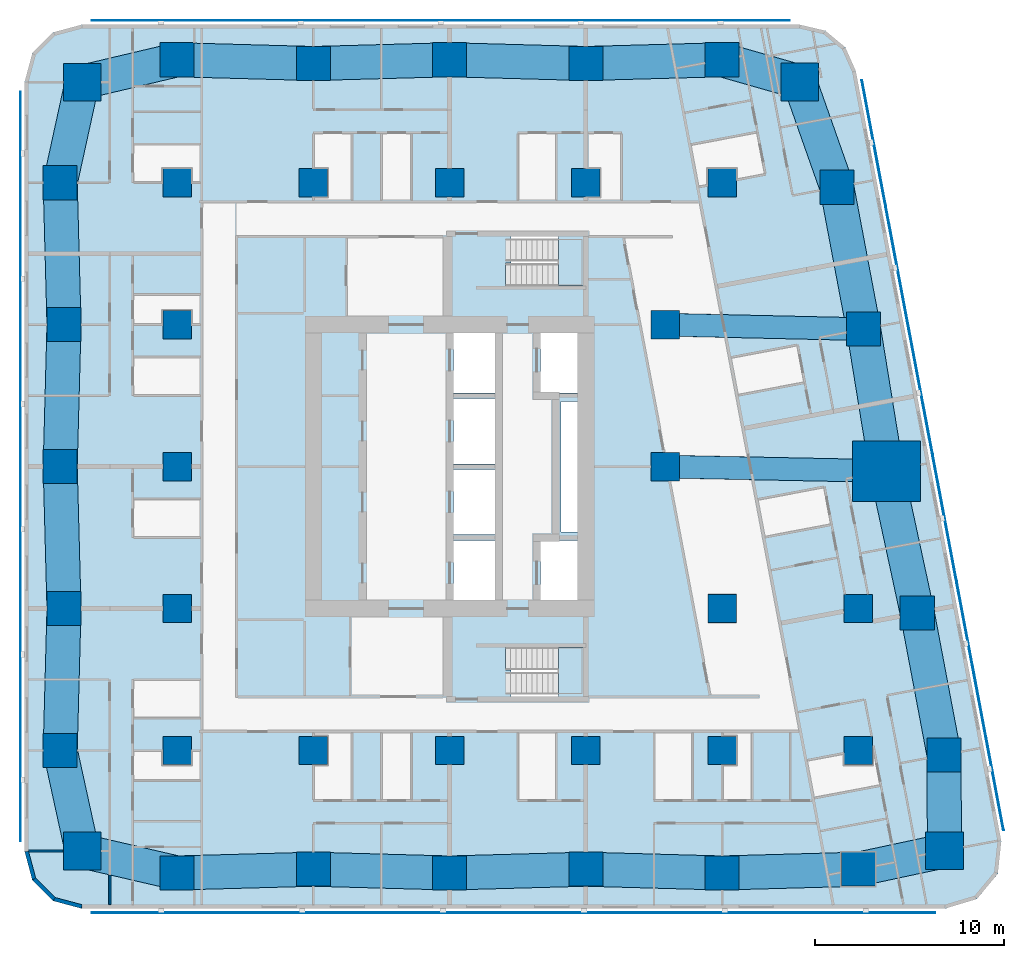
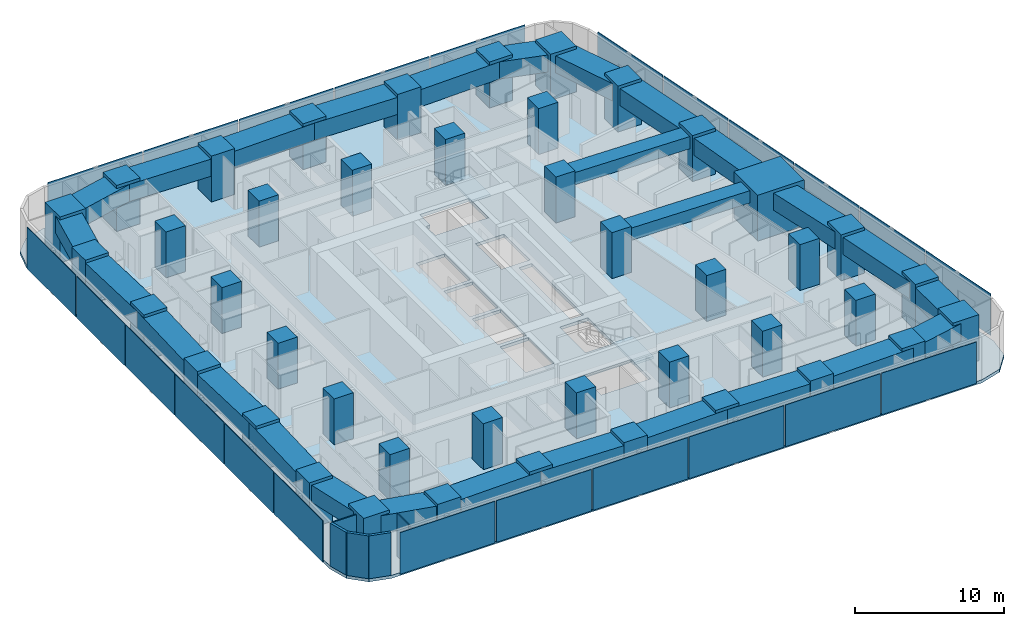
# One storey, part 1 of 15: 43 columns, 27 beams, 23 plates, 5 walls, 3 slabs, 2 elements without a shape of their own.
"""IFC4 building model written with IfcOpenShell, lengths in metres."""

from ifc_helpers import new_model, si_unit, direction, frame, frame_2d, origin, origin_2d, place, context, subcontext, project, spatial, polyline, rectangle, outline, extrude, material, layer, layer_set, material_profile, profile_set, type_object, element, aggregate, save


model = new_model("IFC4")

# Units and contexts
model_context = context("Model", 3, precision=1e-05, world=origin(), true_north=direction((0.0, 1.0)))
body_context = subcontext(model_context, "Body", "Model", "MODEL_VIEW")
ifc_project = project(units=[si_unit("LENGTHUNIT", "METRE"), si_unit("AREAUNIT", "SQUARE_METRE"), si_unit("VOLUMEUNIT", "CUBIC_METRE"), si_unit("PLANEANGLEUNIT", "RADIAN"), si_unit("MASSUNIT", "GRAM", prefix="KILO")], contexts=[model_context])

# Site, building, storey
site_placement = place(None, origin())
site = spatial("IfcSite", under=ifc_project, at=site_placement, CompositionType="ELEMENT")
building_placement = place(site_placement, origin())
building = spatial("IfcBuilding", under=site, at=building_placement, Name="Sheger Commons Tower", CompositionType="ELEMENT")
storey_placement = place(building_placement, frame((0.0, 0.0, 180.800048828125)))
storey = spatial("IfcBuildingStorey", under=building, at=storey_placement, Name="L46", CompositionType="ELEMENT", Elevation=180.800048828125)

# Columns
ifc_material_1 = material(Name="Concrete C50/60", Category="concrete")
ifc_material_profile_1 = material_profile(ifc_material_1, rectangle(XDim=3.60009765625, YDim=3.199951171875, at=origin_2d()), Name="RC 3600x3200")
ifc_profile_set_1 = profile_set([ifc_material_profile_1], Name="Concrete C50/60")
column_type_1 = type_object("IfcColumnType", Name="COLUMN PIER RC 3600x3200", PredefinedType="COLUMN", material=ifc_profile_set_1)
column_placement = place(storey_placement, frame((44.697021484375, 22.262939453125, 0.0), z_axis=(0.0, 0.0, 1.0), x_axis=(1.0, 0.0, 0.0)))
element("IfcColumn", 1, at=column_placement, inside=storey, type_object=column_type_1, Name="Pier 7/D+E/D L46", PredefinedType="COLUMN", context=body_context, shape_type="SweptSolid", body=[
    extrude(rectangle(XDim=3.60009765625, YDim=3.199951171875, at=origin_2d()), origin(), (0.0, 0.0, 1.0), 3.75),
])
ifc_material_2 = material(Name="Concrete C50/60", Category="concrete")
ifc_material_profile_2 = material_profile(ifc_material_2, rectangle(XDim=1.5, YDim=1.5, at=origin_2d()), Name="RC 1500x1500")
ifc_profile_set_2 = profile_set([ifc_material_profile_2], Name="Concrete C50/60")
column_type_2 = type_object("IfcColumnType", Name="COLUMN RC 1500x1500", PredefinedType="COLUMN", material=ifc_profile_set_2)
for number, where, z_axis, x_axis, name in (
    (2, (7.199951171875, 7.5, 0.0), (0.0, 0.0, 1.0), (1.0, 0.0, 0.0), "Column 2/B L46"),
    (3, (14.39990234375, 7.5, 0.0), (0.0, 0.0, 1.0), (1.0, 0.0, 0.0), "Column 3/B L46"),
    (4, (21.60009765625, 7.5, 0.0), (0.0, 0.0, 1.0), (1.0, 0.0, 0.0), "Column 4/B L46"),
    (5, (28.800048828125, 7.5, 0.0), (0.0, 0.0, 1.0), (1.0, 0.0, 0.0), "Column 5/B L46"),
    (6, (36.0, 7.5, 0.0), (0.0, 0.0, 1.0), (1.0, 0.0, 0.0), "Column 6/B L46"),
    (7, (43.199951171875, 7.5, 0.0), (0.0, 0.0, 1.0), (1.0, 0.0, 0.0), "Column 7/B L46"),
    (8, (7.199951171875, 15.0, 0.0), (0.0, 0.0, 1.0), (1.0, 0.0, 0.0), "Column 2/C L46"),
    (9, (36.0, 15.0, 0.0), (0.0, 0.0, 1.0), (1.0, 0.0, 0.0), "Column 6/C L46"),
    (10, (43.199951171875, 15.0, 0.0), (0.0, 0.0, 1.0), (1.0, 0.0, 0.0), "Column 7/C L46"),
    (11, (7.199951171875, 22.5, 0.0), (0.0, 0.0, 1.0), (1.0, 0.0, 0.0), "Column 2/D L46"),
    (12, (33.0, 22.5, 0.0), (0.0, 0.0, 1.0), (1.0, 0.0, 0.0), "Column 6-3000/D L46"),
    (13, (7.199951171875, 30.0, 0.0), (0.0, 0.0, 1.0), (1.0, 0.0, 0.0), "Column 2/E L46"),
    (14, (33.0, 30.0, 0.0), (0.0, 0.0, 1.0), (1.0, 0.0, 0.0), "Column 6-3000/E L46"),
    (15, (7.199951171875, 37.5, 0.0), (0.0, 0.0, 1.0), (1.0, 0.0, 0.0), "Column 2/F L46"),
    (16, (14.39990234375, 37.5, 0.0), (0.0, 0.0, 1.0), (1.0, 0.0, 0.0), "Column 3/F L46"),
    (17, (21.60009765625, 37.5, 0.0), (0.0, 0.0, 1.0), (1.0, 0.0, 0.0), "Column 4/F L46"),
    (18, (28.800048828125, 37.5, 0.0), (0.0, 0.0, 1.0), (1.0, 0.0, 0.0), "Column 5/F L46"),
    (19, (36.0, 37.5, 0.0), (0.0, 0.0, 1.0), (1.0, 0.0, 0.0), "Column 6/F L46"),
):
    element("IfcColumn", number, at=place(storey_placement, frame(where, z_axis=z_axis, x_axis=x_axis)), inside=storey, type_object=column_type_2, Name=name, PredefinedType="COLUMN", context=body_context, shape_type="SweptSolid", body=[
        extrude(rectangle(XDim=1.5, YDim=1.5, at=origin_2d()), origin(), (0.0, 0.0, 1.0), 3.75),
    ])
ifc_material_3 = material(Name="Concrete C50/60", Category="concrete")
ifc_material_profile_3 = material_profile(ifc_material_3, rectangle(XDim=1.800048828125, YDim=1.800048828125, at=origin_2d()), Name="RC 1800x1800")
ifc_profile_set_3 = profile_set([ifc_material_profile_3], Name="Concrete C50/60")
column_type_3 = type_object("IfcColumnType", Name="COLUMN RC 1800x1800", PredefinedType="COLUMN", material=ifc_profile_set_3)
for number, where, z_axis, x_axis, name in (
    (20, (7.199951171875, 1.02490234375, 0.0), (0.0, 0.0, 1.0), (1.0, 0.0, 0.0), "Column 2/A L46"),
    (21, (14.39990234375, 1.22509765625, 0.0), (0.0, 0.0, 1.0), (1.0, 0.0, 0.0), "Column 3/A L46"),
    (22, (21.60009765625, 1.02490234375, 0.0), (0.0, 0.0, 1.0), (1.0, 0.0, 0.0), "Column 4/A L46"),
    (23, (28.800048828125, 1.22509765625, 0.0), (0.0, 0.0, 1.0), (1.0, 0.0, 0.0), "Column 5/A L46"),
    (24, (36.0, 1.02490234375, 0.0), (0.0, 0.0, 1.0), (1.0, 0.0, 0.0), "Column 6/A L46"),
    (25, (43.199951171875, 1.22509765625, 0.0), (0.0, 0.0, 1.0), (1.0, 0.0, 0.0), "Column 7/A L46"),
    (26, (1.02490234375, 7.5, 0.0), (0.0, 0.0, 1.0), (1.0, 0.0, 0.0), "Column 1/B L46"),
    (27, (47.72998046875, 7.262939453125, 0.0), (0.0, 0.0, 1.0), (1.0, 0.0, 0.0), "Column E/B L46"),
    (28, (1.22509765625, 15.0, 0.0), (0.0, 0.0, 1.0), (1.0, 0.0, 0.0), "Column 1/C L46"),
    (29, (46.31396484375, 14.762939453125, 0.0), (0.0, 0.0, 1.0), (1.0, 0.0, 0.0), "Column E/C L46"),
    (30, (1.02490234375, 22.5, 0.0), (0.0, 0.0, 1.0), (1.0, 0.0, 0.0), "Column 1/D L46"),
    (31, (1.22509765625, 30.0, 0.0), (0.0, 0.0, 1.0), (1.0, 0.0, 0.0), "Column 1/E L46"),
    (32, (43.47998046875, 29.762939453125, 0.0), (0.0, 0.0, 1.0), (1.0, 0.0, 0.0), "Column E/E L46"),
    (33, (1.02490234375, 37.5, 0.0), (0.0, 0.0, 1.0), (1.0, 0.0, 0.0), "Column 1/F L46"),
    (34, (42.06396484375, 37.262939453125, 0.0), (0.0, 0.0, 1.0), (1.0, 0.0, 0.0), "Column E/F L46"),
    (35, (7.199951171875, 44.0, 0.0), (0.0, 0.0, 1.0), (1.0, 0.0, 0.0), "Column 2/G L46"),
    (36, (14.39990234375, 43.800048828125, 0.0), (0.0, 0.0, 1.0), (1.0, 0.0, 0.0), "Column 3/G L46"),
    (37, (21.60009765625, 44.0, 0.0), (0.0, 0.0, 1.0), (1.0, 0.0, 0.0), "Column 4/G L46"),
    (38, (28.800048828125, 43.800048828125, 0.0), (0.0, 0.0, 1.0), (1.0, 0.0, 0.0), "Column 5/G L46"),
    (39, (36.0, 44.0, 0.0), (0.0, 0.0, 1.0), (1.0, 0.0, 0.0), "Column 6/G L46"),
):
    element("IfcColumn", number, at=place(storey_placement, frame(where, z_axis=z_axis, x_axis=x_axis)), inside=storey, type_object=column_type_3, Name=name, PredefinedType="COLUMN", context=body_context, shape_type="SweptSolid", body=[
        extrude(rectangle(XDim=1.800048828125, YDim=1.800048828125, at=origin_2d()), origin(), (0.0, 0.0, 1.0), 3.75),
    ])
ifc_material_4 = material(Name="Concrete C50/60", Category="concrete")
ifc_material_profile_4 = material_profile(ifc_material_4, rectangle(XDim=2.0, YDim=2.0, at=origin_2d()), Name="RC 2000x2000")
ifc_profile_set_4 = profile_set([ifc_material_profile_4], Name="Concrete C50/60")
column_type_4 = type_object("IfcColumnType", Name="COLUMN RC 2000x2000", PredefinedType="COLUMN", material=ifc_profile_set_4)
for number, where, z_axis, x_axis, name in (
    (40, (2.18603515625, 2.18603515625, 0.0), (0.0, 0.0, 1.0), (1.0, 0.0, 0.0), "Column 0.630,0.630 L46"),
    (41, (47.748046875, 2.197021484375, 0.0), (0.0, 0.0, 1.0), (1.0, 0.0, 0.0), "Column 49.461,0.778 L46"),
    (42, (2.18603515625, 42.81396484375, 0.0), (0.0, 0.0, 1.0), (1.0, 0.0, 0.0), "Column 0.630,44.370 L46"),
    (43, (40.10205078125, 42.830078125, 0.0), (0.0, 0.0, 1.0), (1.0, 0.0, 0.0), "Column 41.490,44.505 L46"),
):
    element("IfcColumn", number, at=place(storey_placement, frame(where, z_axis=z_axis, x_axis=x_axis)), inside=storey, type_object=column_type_4, Name=name, PredefinedType="COLUMN", context=body_context, shape_type="SweptSolid", body=[
        extrude(rectangle(XDim=2.0, YDim=2.0, at=origin_2d()), origin(), (0.0, 0.0, 1.0), 3.75),
    ])

# Beams
ifc_material_5 = material(Name="Concrete C50/60", Category="concrete")
ifc_material_profile_5 = material_profile(ifc_material_5, rectangle(XDim=1.199951171875, YDim=1.0, at=origin_2d()), Name="RC 1200x1000")
ifc_profile_set_5 = profile_set([ifc_material_profile_5], Name="Concrete C50/60")
beam_type_1 = type_object("IfcBeamType", Name="BEAM RC 1200x1000", PredefinedType="BEAM", material=ifc_profile_set_5)
beam_1_placement = place(storey_placement, frame((33.0, 22.5, 3.0), z_axis=(0.999794692776, -0.02026258368, 0.0), x_axis=(0.02026258368, 0.999794692776, 0.0)))
element("IfcBeam", 44, at=beam_1_placement, inside=storey, type_object=beam_type_1, Name="Beam 6-3000/D-7/D under L47", PredefinedType="BEAM", context=body_context, shape_type="SweptSolid", body=[
    extrude(rectangle(XDim=1.199951171875, YDim=1.0, at=origin_2d()), origin(), (0.0, 0.0, 1.0), 11.699462890625),
])
beam_2_placement = place(storey_placement, frame((33.0, 30.0, 3.0), z_axis=(0.999744258625, -0.022614538395, 0.0), x_axis=(0.022614538395, 0.999744258625, 0.0)))
element("IfcBeam", 45, at=beam_2_placement, inside=storey, type_object=beam_type_1, Name="Beam 6-3000/E-E/E under L47", PredefinedType="BEAM", context=body_context, shape_type="SweptSolid", body=[
    extrude(rectangle(XDim=1.199951171875, YDim=1.0, at=origin_2d()), origin(), (0.0, 0.0, 1.0), 10.482666015625),
])
ifc_material_6 = material(Name="Concrete C50/60", Category="concrete")
ifc_material_profile_6 = material_profile(ifc_material_6, rectangle(XDim=1.800048828125, YDim=1.39990234375, at=origin_2d()), Name="RC 1800x1400")
ifc_profile_set_6 = profile_set([ifc_material_profile_6], Name="Concrete C50/60")
beam_type_2 = type_object("IfcBeamType", Name="SPANDREL RC 1800x1400", PredefinedType="SPANDREL", material=ifc_profile_set_6)
beam_3_placement = place(storey_placement, frame((2.18603515625, 2.18603515625, 2.800048828125), z_axis=(0.974217413499, -0.225611239159, 0.0), x_axis=(0.225611239159, 0.974217413499, 0.0)))
element("IfcBeam", 46, at=beam_3_placement, inside=storey, type_object=beam_type_2, Name="Beam 0.630,0.630-2/A under L47", PredefinedType="SPANDREL", context=body_context, shape_type="SweptSolid", body=[
    extrude(rectangle(XDim=1.800048828125, YDim=1.39990234375, at=origin_2d()), origin(), (0.0, 0.0, 1.0), 5.146728515625),
])
beam_4_placement = place(storey_placement, frame((7.199951171875, 1.02490234375, 2.800048828125), z_axis=(0.9996136624, 0.027794350926, 0.0), x_axis=(-0.027794350926, 0.9996136624, 0.0)))
element("IfcBeam", 47, at=beam_4_placement, inside=storey, type_object=beam_type_2, Name="Beam 2/A-3/A under L47", PredefinedType="SPANDREL", context=body_context, shape_type="SweptSolid", body=[
    extrude(rectangle(XDim=1.800048828125, YDim=1.39990234375, at=origin_2d()), origin(), (0.0, 0.0, 1.0), 7.20263671875),
])
beam_5_placement = place(storey_placement, frame((14.39990234375, 1.22509765625, 2.800048828125), z_axis=(0.999613688584, -0.027793409217, 0.0), x_axis=(0.027793409217, 0.999613688584, 0.0)))
element("IfcBeam", 48, at=beam_5_placement, inside=storey, type_object=beam_type_2, Name="Beam 3/A-4/A under L47", PredefinedType="SPANDREL", context=body_context, shape_type="SweptSolid", body=[
    extrude(rectangle(XDim=1.800048828125, YDim=1.39990234375, at=origin_2d()), origin(), (0.0, 0.0, 1.0), 7.202880859375),
])
for number, where, z_axis, x_axis, name in (
    (49, (21.60009765625, 1.02490234375, 2.800048828125), (0.9996136624, 0.027794350926, 0.0), (-0.027794350926, 0.9996136624, 0.0), "Beam 4/A-5/A under L47"),
    (50, (28.800048828125, 1.22509765625, 2.800048828125), (0.9996136624, -0.027794350926, 0.0), (0.027794350926, 0.9996136624, 0.0), "Beam 5/A-6/A under L47"),
    (51, (36.0, 1.02490234375, 2.800048828125), (0.9996136624, 0.027794350926, 0.0), (-0.027794350926, 0.9996136624, 0.0), "Beam 6/A-7/A under L47"),
):
    element("IfcBeam", number, at=place(storey_placement, frame(where, z_axis=z_axis, x_axis=x_axis)), inside=storey, type_object=beam_type_2, Name=name, PredefinedType="SPANDREL", context=body_context, shape_type="SweptSolid", body=[
        extrude(rectangle(XDim=1.800048828125, YDim=1.39990234375, at=origin_2d()), origin(), (0.0, 0.0, 1.0), 7.20263671875),
    ])
beam_6_placement = place(storey_placement, frame((43.199951171875, 1.22509765625, 2.800048828125), z_axis=(0.977919796671, 0.208980552394, 0.0), x_axis=(-0.208980552394, 0.977919796671, 0.0)))
element("IfcBeam", 52, at=beam_6_placement, inside=storey, type_object=beam_type_2, Name="Beam 7/A-49.461,0.778 under L47", PredefinedType="SPANDREL", context=body_context, shape_type="SweptSolid", body=[
    extrude(rectangle(XDim=1.800048828125, YDim=1.39990234375, at=origin_2d()), origin(), (0.0, 0.0, 1.0), 4.65087890625),
])
beam_7_placement = place(storey_placement, frame((47.748046875, 2.197021484375, 2.800048828125), z_axis=(-0.003566242382, 0.999993640937, 0.0), x_axis=(-0.999993640937, -0.003566242382, 0.0)))
element("IfcBeam", 53, at=beam_7_placement, inside=storey, type_object=beam_type_2, Name="Beam 49.461,0.778-E/B under L47", PredefinedType="SPANDREL", context=body_context, shape_type="SweptSolid", body=[
    extrude(rectangle(XDim=1.800048828125, YDim=1.39990234375, at=origin_2d()), origin(), (0.0, 0.0, 1.0), 5.06591796875),
])
beam_8_placement = place(storey_placement, frame((47.72998046875, 7.262939453125, 2.800048828125), z_axis=(-0.18552441405, 0.982639655108, 0.0), x_axis=(-0.982639655108, -0.18552441405, 0.0)))
element("IfcBeam", 54, at=beam_8_placement, inside=storey, type_object=beam_type_2, Name="Beam E/B-E/C under L47", PredefinedType="SPANDREL", context=body_context, shape_type="SweptSolid", body=[
    extrude(rectangle(XDim=1.800048828125, YDim=1.39990234375, at=origin_2d()), origin(), (0.0, 0.0, 1.0), 7.632568359375),
])
beam_9_placement = place(storey_placement, frame((46.31396484375, 14.762939453125, 2.800048828125), z_axis=(-0.210750229323, 0.977539943348, 0.0), x_axis=(-0.977539943348, -0.210750229323, 0.0)))
element("IfcBeam", 55, at=beam_9_placement, inside=storey, type_object=beam_type_2, Name="Beam E/C-E/D under L47", PredefinedType="SPANDREL", context=body_context, shape_type="SweptSolid", body=[
    extrude(rectangle(XDim=1.800048828125, YDim=1.39990234375, at=origin_2d()), origin(), (0.0, 0.0, 1.0), 7.67236328125),
])
beam_10_placement = place(storey_placement, frame((44.697021484375, 22.262939453125, 2.800048828125), z_axis=(-0.160176929512, 0.987088319884, 0.0), x_axis=(-0.987088319884, -0.160176929512, 0.0)))
element("IfcBeam", 56, at=beam_10_placement, inside=storey, type_object=beam_type_2, Name="Beam E/D-E/E under L47", PredefinedType="SPANDREL", context=body_context, shape_type="SweptSolid", body=[
    extrude(rectangle(XDim=1.800048828125, YDim=1.39990234375, at=origin_2d()), origin(), (0.0, 0.0, 1.0), 7.59814453125),
])
beam_11_placement = place(storey_placement, frame((43.47998046875, 29.762939453125, 2.800048828125), z_axis=(-0.18552441405, 0.982639655108, 0.0), x_axis=(-0.982639655108, -0.18552441405, 0.0)))
element("IfcBeam", 57, at=beam_11_placement, inside=storey, type_object=beam_type_2, Name="Beam E/E-E/F under L47", PredefinedType="SPANDREL", context=body_context, shape_type="SweptSolid", body=[
    extrude(rectangle(XDim=1.800048828125, YDim=1.39990234375, at=origin_2d()), origin(), (0.0, 0.0, 1.0), 7.632568359375),
])
beam_12_placement = place(storey_placement, frame((42.06396484375, 37.262939453125, 2.800048828125), z_axis=(-0.332374403357, 0.943147526102, 0.0), x_axis=(-0.943147526102, -0.332374403357, 0.0)))
element("IfcBeam", 58, at=beam_12_placement, inside=storey, type_object=beam_type_2, Name="Beam E/F-41.490,44.505 under L47", PredefinedType="SPANDREL", context=body_context, shape_type="SweptSolid", body=[
    extrude(rectangle(XDim=1.800048828125, YDim=1.39990234375, at=origin_2d()), origin(), (0.0, 0.0, 1.0), 5.90283203125),
])
beam_13_placement = place(storey_placement, frame((40.10205078125, 42.830078125, 2.800048828125), z_axis=(-0.961653428129, 0.274267541221, 0.0), x_axis=(-0.274267541221, -0.961653428129, 0.0)))
element("IfcBeam", 59, at=beam_13_placement, inside=storey, type_object=beam_type_2, Name="Beam 41.490,44.505-6/G under L47", PredefinedType="SPANDREL", context=body_context, shape_type="SweptSolid", body=[
    extrude(rectangle(XDim=1.800048828125, YDim=1.39990234375, at=origin_2d()), origin(), (0.0, 0.0, 1.0), 4.265625),
])
for number, where, z_axis, x_axis, name in (
    (60, (36.0, 44.0, 2.800048828125), (-0.999614603568, -0.027760481514, 0.0), (0.027760481514, -0.999614603568, 0.0), "Beam 6/G-5/G under L47"),
    (61, (28.800048828125, 43.800048828125, 2.800048828125), (-0.999614603568, 0.027760481514, 0.0), (-0.027760481514, -0.999614603568, 0.0), "Beam 5/G-4/G under L47"),
):
    element("IfcBeam", number, at=place(storey_placement, frame(where, z_axis=z_axis, x_axis=x_axis)), inside=storey, type_object=beam_type_2, Name=name, PredefinedType="SPANDREL", context=body_context, shape_type="SweptSolid", body=[
        extrude(rectangle(XDim=1.800048828125, YDim=1.39990234375, at=origin_2d()), origin(), (0.0, 0.0, 1.0), 7.20263671875),
    ])
beam_14_placement = place(storey_placement, frame((21.60009765625, 44.0, 2.800048828125), z_axis=(-0.999614629688, -0.027759540951, 0.0), x_axis=(0.027759540951, -0.999614629688, 0.0)))
element("IfcBeam", 62, at=beam_14_placement, inside=storey, type_object=beam_type_2, Name="Beam 4/G-3/G under L47", PredefinedType="SPANDREL", context=body_context, shape_type="SweptSolid", body=[
    extrude(rectangle(XDim=1.800048828125, YDim=1.39990234375, at=origin_2d()), origin(), (0.0, 0.0, 1.0), 7.202880859375),
])
beam_15_placement = place(storey_placement, frame((14.39990234375, 43.800048828125, 2.800048828125), z_axis=(-0.999614603568, 0.027760481514, 0.0), x_axis=(-0.027760481514, -0.999614603568, 0.0)))
element("IfcBeam", 63, at=beam_15_placement, inside=storey, type_object=beam_type_2, Name="Beam 3/G-2/G under L47", PredefinedType="SPANDREL", context=body_context, shape_type="SweptSolid", body=[
    extrude(rectangle(XDim=1.800048828125, YDim=1.39990234375, at=origin_2d()), origin(), (0.0, 0.0, 1.0), 7.20263671875),
])
beam_16_placement = place(storey_placement, frame((7.199951171875, 44.0, 2.800048828125), z_axis=(-0.97314428949, -0.230195985701, 0.0), x_axis=(0.230195985701, -0.97314428949, 0.0)))
element("IfcBeam", 64, at=beam_16_placement, inside=storey, type_object=beam_type_2, Name="Beam 2/G-0.630,44.370 under L47", PredefinedType="SPANDREL", context=body_context, shape_type="SweptSolid", body=[
    extrude(rectangle(XDim=1.800048828125, YDim=1.39990234375, at=origin_2d()), origin(), (0.0, 0.0, 1.0), 5.15234375),
])
beam_17_placement = place(storey_placement, frame((2.18603515625, 42.81396484375, 2.800048828125), z_axis=(-0.213469314652, -0.976949769283, 0.0), x_axis=(0.976949769283, -0.213469314652, 0.0)))
element("IfcBeam", 65, at=beam_17_placement, inside=storey, type_object=beam_type_2, Name="Beam 0.630,44.370-1/F under L47", PredefinedType="SPANDREL", context=body_context, shape_type="SweptSolid", body=[
    extrude(rectangle(XDim=1.800048828125, YDim=1.39990234375, at=origin_2d()), origin(), (0.0, 0.0, 1.0), 5.439453125),
])
for number, where, z_axis, x_axis, name in (
    (66, (1.02490234375, 37.5, 2.800048828125), (0.026683204125, -0.999643939919, 0.0), (0.999643939919, 0.026683204125, 0.0), "Beam 1/F-1/E under L47"),
    (67, (1.22509765625, 30.0, 2.800048828125), (-0.026683204125, -0.999643939919, 0.0), (0.999643939919, -0.026683204125, 0.0), "Beam 1/E-1/D under L47"),
    (68, (1.02490234375, 22.5, 2.800048828125), (0.026683204125, -0.999643939919, 0.0), (0.999643939919, 0.026683204125, 0.0), "Beam 1/D-1/C under L47"),
    (69, (1.22509765625, 15.0, 2.800048828125), (-0.026683204125, -0.999643939919, 0.0), (0.999643939919, -0.026683204125, 0.0), "Beam 1/C-1/B under L47"),
):
    element("IfcBeam", number, at=place(storey_placement, frame(where, z_axis=z_axis, x_axis=x_axis)), inside=storey, type_object=beam_type_2, Name=name, PredefinedType="SPANDREL", context=body_context, shape_type="SweptSolid", body=[
        extrude(rectangle(XDim=1.800048828125, YDim=1.39990234375, at=origin_2d()), origin(), (0.0, 0.0, 1.0), 7.502685546875),
    ])
beam_18_placement = place(storey_placement, frame((1.02490234375, 7.5, 2.800048828125), z_axis=(0.213469314652, -0.976949769283, 0.0), x_axis=(0.976949769283, 0.213469314652, 0.0)))
element("IfcBeam", 70, at=beam_18_placement, inside=storey, type_object=beam_type_2, Name="Beam 1/B-0.630,0.630 under L47", PredefinedType="SPANDREL", context=body_context, shape_type="SweptSolid", body=[
    extrude(rectangle(XDim=1.800048828125, YDim=1.39990234375, at=origin_2d()), origin(), (0.0, 0.0, 1.0), 5.439453125),
])

# Slab
ifc_material_7 = material(Name="Concrete C35/45", Category="concrete")
ifc_layer_1 = layer(ifc_material_7, 0.25)
ifc_layer_set_1 = layer_set([ifc_layer_1], Name="SLAB FLOOR 250")
slab_type_1 = type_object("IfcSlabType", Name="SLAB FLOOR 250", PredefinedType="FLOOR", material=ifc_layer_set_1)
slab_1_placement = place(storey_placement, frame((0.0, 0.0, -0.25)))
element("IfcSlab", 71, at=slab_1_placement, inside=storey, type_object=slab_type_1, Name="L46 floor slab", PredefinedType="FLOOR", context=body_context, shape_type="SweptSolid", body=[
    extrude(outline(polyline([(-0.85009765625, 2.14990234375), (-0.447998046875, 0.64990234375), (0.64990234375, -0.447998046875), (2.14990234375, -0.85009765625), (47.805908203125, -0.85009765625), (49.465087890625, -0.35009765625), (50.570068359375, 0.98388671875), (50.75390625, 2.70703125), (43.06591796875, 43.406982421875), (42.509033203125, 44.660888671875), (41.452880859375, 45.535888671875), (40.117919921875, 45.85009765625), (2.14990234375, 45.85009765625), (0.64990234375, 45.447998046875), (-0.447998046875, 44.35009765625), (-0.85009765625, 42.85009765625), (-0.85009765625, 2.14990234375)]), holes=[polyline([(24.85009765625, 10.35009765625), (28.64990234375, 10.35009765625), (28.64990234375, 12.949951171875), (24.551025390625, 12.949951171875), (24.551025390625, 11.75), (24.85009765625, 11.75), (24.85009765625, 10.35009765625)]), polyline([(24.551025390625, 32.050048828125), (28.64990234375, 32.050048828125), (28.64990234375, 34.64990234375), (24.85009765625, 34.64990234375), (24.85009765625, 33.25), (24.551025390625, 33.25), (24.551025390625, 32.050048828125)]), polyline([(26.39990234375, 15.14990234375), (28.60009765625, 15.14990234375), (28.60009765625, 18.60009765625), (26.39990234375, 18.60009765625), (26.39990234375, 15.14990234375)]), polyline([(26.39990234375, 26.39990234375), (28.60009765625, 26.39990234375), (28.60009765625, 29.85009765625), (26.39990234375, 29.85009765625), (26.39990234375, 26.39990234375)]), polyline([(21.800048828125, 15.14990234375), (24.0, 15.14990234375), (24.0, 18.60009765625), (21.800048828125, 18.60009765625), (21.800048828125, 15.14990234375)]), polyline([(21.800048828125, 18.89990234375), (24.0, 18.89990234375), (24.0, 22.35009765625), (21.800048828125, 22.35009765625), (21.800048828125, 18.89990234375)]), polyline([(21.800048828125, 22.64990234375), (24.0, 22.64990234375), (24.0, 26.10009765625), (21.800048828125, 26.10009765625), (21.800048828125, 22.64990234375)]), polyline([(21.800048828125, 26.39990234375), (24.0, 26.39990234375), (24.0, 29.85009765625), (21.800048828125, 29.85009765625), (21.800048828125, 26.39990234375)]), polyline([(27.5, 19.050048828125), (28.5, 19.050048828125), (28.5, 25.949951171875), (27.5, 25.949951171875), (27.5, 19.050048828125)])]), origin(), (0.0, 0.0, 1.0), 0.25),
])

# Plates
ifc_material_8 = material(Name="Perforated black anodised aluminium screen", Category="aluminium")
ifc_layer_2 = layer(ifc_material_8, 0.050048828125)
ifc_layer_set_2 = layer_set([ifc_layer_2], Name="SOLAR SCREEN SCREEN-1")
plate_type = type_object("IfcPlateType", Name="SOLAR SCREEN SCREEN-1", PredefinedType="USERDEFINED", material=ifc_layer_set_2)
for number, where, z_axis, x_axis, name in (
    (72, (6.37109375, -1.074951171875, 0.050048828125), (0.0, 0.0, 1.0), (1.0, 0.0, 0.0), "Perforated solar screen panel"),
    (73, (13.81396484375, -1.074951171875, 0.050048828125), (0.0, 0.0, 1.0), (1.0, 0.0, 0.0), "Perforated solar screen panel"),
    (74, (21.257080078125, -1.074951171875, 0.050048828125), (0.0, 0.0, 1.0), (1.0, 0.0, 0.0), "Perforated solar screen panel"),
    (75, (28.698974609375, -1.074951171875, 0.050048828125), (0.0, 0.0, 1.0), (1.0, 0.0, 0.0), "Perforated solar screen panel"),
    (76, (36.14208984375, -1.074951171875, 0.050048828125), (0.0, 0.0, 1.0), (1.0, 0.0, 0.0), "Perforated solar screen panel"),
    (77, (43.5849609375, -1.074951171875, 0.050048828125), (0.0, 0.0, 1.0), (1.0, 0.0, 0.0), "Perforated solar screen panel"),
):
    element("IfcPlate", number, at=place(storey_placement, frame(where, z_axis=z_axis, x_axis=x_axis)), inside=storey, type_object=plate_type, Name=name, ObjectType="SCREEN", PredefinedType="USERDEFINED", context=body_context, shape_type="SweptSolid", body=[
        extrude(rectangle(XDim=7.343017578125, YDim=0.050048828125, at=origin_2d()), origin(), (0.0, 0.0, 1.0), 3.39990234375),
    ])
for number, where, z_axis, x_axis, name in (
    (78, (50.257080078125, 6.550048828125, 0.050048828125), (0.0, 0.0, 1.0), (-0.185615165645, 0.982622516678, 0.0), "Perforated solar screen panel"),
    (79, (49.007080078125, 13.1689453125, 0.050048828125), (0.0, 0.0, 1.0), (-0.185615165645, 0.982622516678, 0.0), "Perforated solar screen panel"),
    (80, (47.756103515625, 19.7890625, 0.050048828125), (0.0, 0.0, 1.0), (-0.185615165645, 0.982622516678, 0.0), "Perforated solar screen panel"),
    (81, (46.506103515625, 26.408935546875, 0.050048828125), (0.0, 0.0, 1.0), (-0.185615165645, 0.982622516678, 0.0), "Perforated solar screen panel"),
    (82, (45.2548828125, 33.028076171875, 0.050048828125), (0.0, 0.0, 1.0), (-0.185615165645, 0.982622516678, 0.0), "Perforated solar screen panel"),
    (83, (44.0048828125, 39.64794921875, 0.050048828125), (0.0, 0.0, 1.0), (-0.185615165645, 0.982622516678, 0.0), "Perforated solar screen panel"),
):
    element("IfcPlate", number, at=place(storey_placement, frame(where, z_axis=z_axis, x_axis=x_axis)), inside=storey, type_object=plate_type, Name=name, ObjectType="SCREEN", PredefinedType="USERDEFINED", context=body_context, shape_type="SweptSolid", body=[
        extrude(rectangle(XDim=6.636962890625, YDim=0.050048828125, at=origin_2d()), origin(), (0.0, 0.0, 1.0), 3.39990234375),
    ])
for number, where, z_axis, x_axis, name in (
    (84, (35.9208984375, 46.074951171875, 0.050048828125), (0.0, 0.0, 1.0), (-1.0, 0.0, 0.0), "Perforated solar screen panel"),
    (85, (28.528076171875, 46.074951171875, 0.050048828125), (0.0, 0.0, 1.0), (-1.0, 0.0, 0.0), "Perforated solar screen panel"),
    (86, (21.134033203125, 46.074951171875, 0.050048828125), (0.0, 0.0, 1.0), (-1.0, 0.0, 0.0), "Perforated solar screen panel"),
    (87, (13.739990234375, 46.074951171875, 0.050048828125), (0.0, 0.0, 1.0), (-1.0, 0.0, 0.0), "Perforated solar screen panel"),
    (88, (6.346923828125, 46.074951171875, 0.050048828125), (0.0, 0.0, 1.0), (-1.0, 0.0, 0.0), "Perforated solar screen panel"),
):
    element("IfcPlate", number, at=place(storey_placement, frame(where, z_axis=z_axis, x_axis=x_axis)), inside=storey, type_object=plate_type, Name=name, ObjectType="SCREEN", PredefinedType="USERDEFINED", context=body_context, shape_type="SweptSolid", body=[
        extrude(rectangle(XDim=7.2939453125, YDim=0.050048828125, at=origin_2d()), origin(), (0.0, 0.0, 1.0), 3.39990234375),
    ])
for number, where, z_axis, x_axis, name in (
    (89, (-1.074951171875, 39.0419921875, 0.050048828125), (0.0, 0.0, 1.0), (0.0, -1.0, 0.0), "Perforated solar screen panel"),
    (90, (-1.074951171875, 32.425048828125, 0.050048828125), (0.0, 0.0, 1.0), (0.0, -1.0, 0.0), "Perforated solar screen panel"),
    (91, (-1.074951171875, 25.80810546875, 0.050048828125), (0.0, 0.0, 1.0), (0.0, -1.0, 0.0), "Perforated solar screen panel"),
    (92, (-1.074951171875, 19.19189453125, 0.050048828125), (0.0, 0.0, 1.0), (0.0, -1.0, 0.0), "Perforated solar screen panel"),
    (93, (-1.074951171875, 12.574951171875, 0.050048828125), (0.0, 0.0, 1.0), (0.0, -1.0, 0.0), "Perforated solar screen panel"),
    (94, (-1.074951171875, 5.9580078125, 0.050048828125), (0.0, 0.0, 1.0), (0.0, -1.0, 0.0), "Perforated solar screen panel"),
):
    element("IfcPlate", number, at=place(storey_placement, frame(where, z_axis=z_axis, x_axis=x_axis)), inside=storey, type_object=plate_type, Name=name, ObjectType="SCREEN", PredefinedType="USERDEFINED", context=body_context, shape_type="SweptSolid", body=[
        extrude(rectangle(XDim=6.51708984375, YDim=0.050048828125, at=origin_2d()), origin(), (0.0, 0.0, 1.0), 3.39990234375),
    ])

# Stair, slab
ifc_material_9 = material(Name="Concrete C35/45", Category="concrete")
stair_type = type_object("IfcStairType", Name="HALF-TURN STAIR 1200 RISE 3750", PredefinedType="HALF_TURN_STAIR", material=ifc_material_9)
stair_1_placement = place(storey_placement, origin())
stair_1 = element("IfcStair", 95, at=stair_1_placement, inside=storey, type_object=stair_type, Name="Stair S1 L46", PredefinedType="HALF_TURN_STAIR")
ifc_material_10 = material(Name="Concrete C35/45", Category="concrete")
ifc_layer_3 = layer(ifc_material_10, 0.199951171875)
ifc_layer_set_3 = layer_set([ifc_layer_3], Name="STAIR LANDING 200")
slab_type_2 = type_object("IfcSlabType", Name="STAIR LANDING 200", PredefinedType="LANDING", material=ifc_layer_set_3)
slab_2_placement = place(storey_placement, frame((0.0, 0.0, 1.675048828125)))
slab_2 = element("IfcSlab", 96, at=slab_2_placement, type_object=slab_type_2, Name="S1 landing 1", PredefinedType="LANDING", context=body_context, shape_type="SweptSolid", body=[
    extrude(outline(polyline([(27.35009765625, 10.199951171875), (28.800048828125, 10.199951171875), (28.800048828125, 12.949951171875), (27.35009765625, 12.949951171875), (27.35009765625, 10.199951171875)])), origin(), (0.0, 0.0, 1.0), 0.199951171875),
])
aggregate(stair_1, [slab_2])

stair_2_placement = place(storey_placement, origin())
stair_2 = element("IfcStair", 97, at=stair_2_placement, inside=storey, type_object=stair_type, Name="Stair S2 L46", PredefinedType="HALF_TURN_STAIR")
slab_3_placement = place(storey_placement, frame((0.0, 0.0, 1.675048828125)))
slab_3 = element("IfcSlab", 98, at=slab_3_placement, type_object=slab_type_2, Name="S2 landing 1", PredefinedType="LANDING", context=body_context, shape_type="SweptSolid", body=[
    extrude(outline(polyline([(27.35009765625, 32.050048828125), (28.800048828125, 32.050048828125), (28.800048828125, 34.800048828125), (27.35009765625, 34.800048828125), (27.35009765625, 32.050048828125)])), origin(), (0.0, 0.0, 1.0), 0.199951171875),
])
aggregate(stair_2, [slab_3])

# Walls
ifc_material_11 = material(Name="Rendered concrete block masonry, dark grey", Category="masonry")
ifc_layer_4 = layer(ifc_material_11, 0.199951171875)
ifc_layer_set_4 = layer_set([ifc_layer_4], Name="FACADE WALL 200")
wall_type_1 = type_object("IfcWallType", Name="FACADE WALL 200", PredefinedType="SOLIDWALL", material=ifc_layer_set_4)
wall_1_placement = place(storey_placement, frame((-0.75, 2.1630859375, 0.0), z_axis=(0.0, 0.0, 1.0), x_axis=(0.259168954497, -0.965832000415, 0.0)))
element("IfcWall", 99, at=wall_1_placement, inside=storey, type_object=wall_type_1, Name="Facade wall L46", PredefinedType="SOLIDWALL", context=body_context, shape_type="SweptSolid", body=[
    extrude(rectangle(XDim=1.512939453125, YDim=0.199951171875, at=frame_2d((0.75634765625, 0.0))), origin(), (0.0, 0.0, 1.0), 3.5),
])
wall_2_placement = place(storey_placement, frame((-0.35791015625, 0.701904296875, 0.0), z_axis=(0.0, 0.0, 1.0), x_axis=(0.707106781187, -0.707106781187, 0.0)))
element("IfcWall", 100, at=wall_2_placement, inside=storey, type_object=wall_type_1, Name="Facade wall L46", PredefinedType="SOLIDWALL", context=body_context, shape_type="SweptSolid", body=[
    extrude(rectangle(XDim=1.498779296875, YDim=0.199951171875, at=frame_2d((0.74951171875, 0.0))), origin(), (0.0, 0.0, 1.0), 3.5),
])
wall_3_placement = place(storey_placement, frame((0.701904296875, -0.35791015625, 0.0), z_axis=(0.0, 0.0, 1.0), x_axis=(0.965832000415, -0.259168954497, 0.0)))
element("IfcWall", 101, at=wall_3_placement, inside=storey, type_object=wall_type_1, Name="Facade wall L46", PredefinedType="SOLIDWALL", context=body_context, shape_type="SweptSolid", body=[
    extrude(rectangle(XDim=1.512939453125, YDim=0.199951171875, at=frame_2d((0.75634765625, 0.0))), origin(), (0.0, 0.0, 1.0), 3.5),
])
ifc_material_12 = material(Name="Gypsum board on steel studs", Category="steel")
ifc_layer_5 = layer(ifc_material_12, 0.10009765625)
ifc_layer_set_5 = layer_set([ifc_layer_5], Name="PARTITION 100")
wall_type_2 = type_object("IfcWallType", Name="PARTITION 100", PredefinedType="PARTITIONING", material=ifc_layer_set_5)
wall_4_placement = place(storey_placement, frame((3.64990234375, -0.64990234375, 0.0), z_axis=(0.0, 0.0, 1.0), x_axis=(0.0, 1.0, 0.0)))
element("IfcWall", 102, at=wall_4_placement, inside=storey, type_object=wall_type_2, Name="Partition L46", PredefinedType="PARTITIONING", context=body_context, shape_type="SweptSolid", body=[
    extrude(rectangle(XDim=1.56201171875, YDim=0.10009765625, at=frame_2d((0.781005859375, 0.0))), origin(), (0.0, 0.0, 1.0), 3.5),
])
wall_5_placement = place(storey_placement, frame((-0.64990234375, 2.18603515625, 0.0), z_axis=(0.0, 0.0, 1.0), x_axis=(1.0, 0.0, 0.0)))
element("IfcWall", 103, at=wall_5_placement, inside=storey, type_object=wall_type_2, Name="Partition L46", PredefinedType="PARTITIONING", context=body_context, shape_type="SweptSolid", body=[
    extrude(rectangle(XDim=1.8349609375, YDim=0.10009765625, at=frame_2d((0.91748046875, 0.0))), origin(), (0.0, 0.0, 1.0), 3.5),
])

save(model, "model.ifc")
